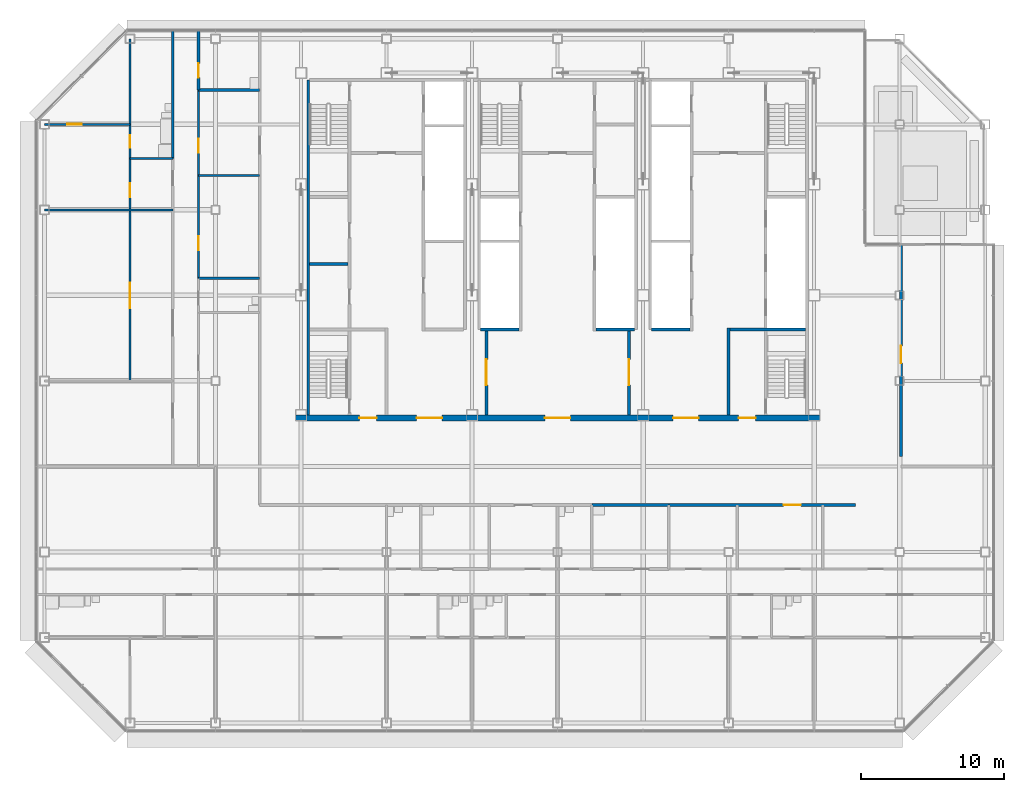
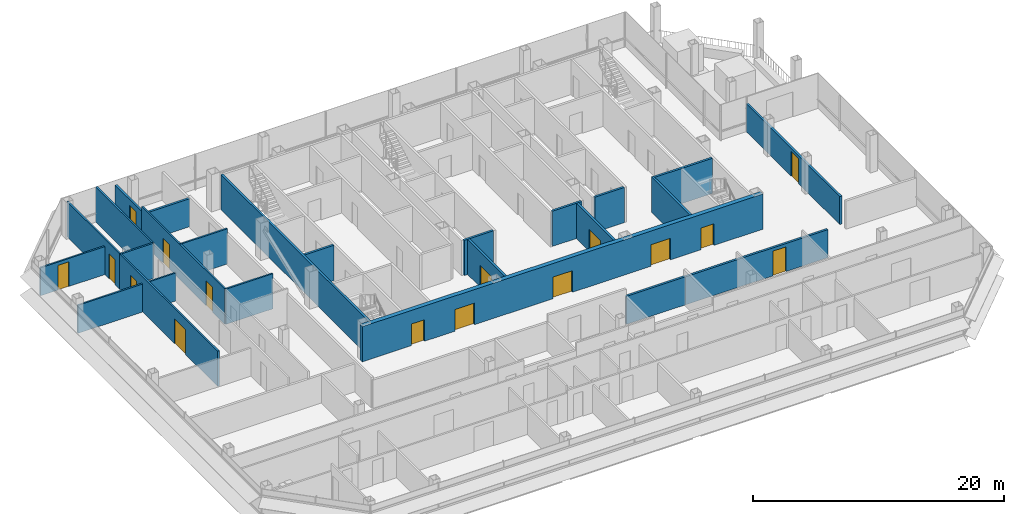
# One storey, part 22 of 29: 24 walls, 16 doors, 16 openings.
"""IFC4 building model written with IfcOpenShell, lengths in metres."""

from ifc_helpers import new_model, si_unit, direction, frame, frame_2d, origin, place, context, subcontext, project, spatial, rectangle, extrude, material, layer, layer_set, type_object, element, fill, save


model = new_model("IFC4")

# Units and contexts
model_context = context("Model", 3, precision=1e-05, world=origin(), true_north=direction((0.0, 1.0)))
body_context = subcontext(model_context, "Body", "Model", "MODEL_VIEW")
ifc_project = project(units=[si_unit("LENGTHUNIT", "METRE"), si_unit("AREAUNIT", "SQUARE_METRE"), si_unit("VOLUMEUNIT", "CUBIC_METRE"), si_unit("PLANEANGLEUNIT", "RADIAN"), si_unit("MASSUNIT", "GRAM", prefix="KILO")], contexts=[model_context])

# Site, building, storey
site_placement = place(None, origin())
site = spatial("IfcSite", under=ifc_project, at=site_placement, CompositionType="ELEMENT")
building_placement = place(site_placement, origin())
building = spatial("IfcBuilding", under=site, at=building_placement, Name="Sorahane Residences", CompositionType="ELEMENT")
storey_placement = place(building_placement, frame((0.0, 0.0, 199.199951171875)))
storey = spatial("IfcBuildingStorey", under=building, at=storey_placement, Name="L46", CompositionType="ELEMENT", Elevation=199.199951171875)

# Wall
ifc_material_1 = material(Name="Concrete C30", Category="concrete")
ifc_layer_1 = layer(ifc_material_1, 0.199951171875)
ifc_layer_set_1 = layer_set([ifc_layer_1], Name="Core face wall 200 EI 180")
wall_type_1 = type_object("IfcWallType", Name="Core face wall 200 EI 180", PredefinedType="SOLIDWALL", material=ifc_layer_set_1)
wall_1_placement = place(storey_placement, frame((6.5, 21.60009765625, 0.0), z_axis=(0.0, 0.0, 1.0), x_axis=(0.0, 1.0, 0.0)))
element("IfcWall", 1, at=wall_1_placement, inside=storey, type_object=wall_type_1, Name="L46 core face wall", PredefinedType="SOLIDWALL", context=body_context, shape_type="SweptSolid", body=[
    extrude(rectangle(XDim=23.5, YDim=0.199951171875, at=frame_2d((11.75, 0.0))), origin(), (0.0, 0.0, 1.0), 3.420166015625),
])

# Wall, opening, door
ifc_material_2 = material(Name="Concrete blockwork C20 wall", Category="masonry")
ifc_layer_2 = layer(ifc_material_2, 0.199951171875)
ifc_layer_set_2 = layer_set([ifc_layer_2], Name="Corridor wall 200 EI 120")
wall_type_2 = type_object("IfcWallType", Name="Corridor wall 200 EI 120", PredefinedType="SOLIDWALL", material=ifc_layer_set_2)
wall_2_placement = place(storey_placement, frame((48.10009765625, 18.699951171875, 0.0), z_axis=(0.0, 0.0, 1.0), x_axis=(0.0, 1.0, 0.0)))
wall_2 = element("IfcWall", 2, at=wall_2_placement, inside=storey, type_object=wall_type_2, Name="L46 corridor wall", PredefinedType="SOLIDWALL", context=body_context, shape_type="SweptSolid", body=[
    extrude(rectangle(XDim=14.900146484375, YDim=0.199951171875, at=frame_2d((7.4501953125, 0.0))), origin(), (0.0, 0.0, 1.0), 2.719970703125),
])
opening_1_placement = place(wall_2_placement, frame((6.550048828125, 0.0, 0.0)))
opening_1 = element("IfcOpeningElement", 3, at=opening_1_placement, cuts=wall_2, Name="Opening L46-45", PredefinedType="OPENING", context=body_context, shape_type="SweptSolid", body=[
    extrude(rectangle(XDim=1.199951171875, YDim=2.39990234375, at=frame_2d((0.60009765625, 1.199951171875))), frame((0.0, 0.10986328125, 0.0), z_axis=(0.0, -1.0, 0.0), x_axis=(1.0, 0.0, 0.0)), (0.0, 0.0, 1.0), 0.219970703125),
])
ifc_material_3 = material(Name="Steel", Category="steel")
door_type_1 = type_object("IfcDoorType", Name="Lobby door 1200x2400 FD60", OperationType="NOTDEFINED", PredefinedType="DOOR", material=ifc_material_3)
door_1_placement = place(opening_1_placement, frame((1.199951171875, 0.0, 0.0), z_axis=(0.0, 0.0, 1.0), x_axis=(-1.0, 0.0, 0.0)))
door_1 = element("IfcDoor", 4, at=door_1_placement, inside=storey, type_object=door_type_1, Name="Lobby door L46-45", OperationType="SINGLE_SWING_LEFT", OverallHeight=2.39990234375, OverallWidth=1.199951171875, PredefinedType="DOOR", context=body_context, shape_type="SweptSolid", body=[
    extrude(rectangle(XDim=1.199951171875, YDim=2.39990234375, at=frame_2d((0.60009765625, 1.199951171875))), frame((0.0, 0.02490234375, 0.0), z_axis=(0.0, -1.0, 0.0), x_axis=(1.0, 0.0, 0.0)), (0.0, 0.0, 1.0), 0.050048828125),
])
fill(opening_1, door_1)

wall_3_placement = place(storey_placement, frame((31.800048828125, 15.300048828125, 0.0), z_axis=(0.0, 0.0, 1.0), x_axis=(1.0, 0.0, 0.0)))
wall_3 = element("IfcWall", 5, at=wall_3_placement, inside=storey, type_object=wall_type_2, Name="L46 corridor wall", PredefinedType="SOLIDWALL", context=body_context, shape_type="SweptSolid", body=[
    extrude(rectangle(XDim=13.099853515625, YDim=0.199951171875, at=frame_2d((6.5498046875, 0.0))), origin(), (0.0, 0.0, 1.0), 2.719970703125),
])
opening_2_placement = place(wall_3_placement, frame((8.06005859375, 0.0, 0.0)))
opening_2 = element("IfcOpeningElement", 6, at=opening_2_placement, cuts=wall_3, Name="Opening L46-43", PredefinedType="OPENING", context=body_context, shape_type="SweptSolid", body=[
    extrude(rectangle(XDim=1.199951171875, YDim=2.39990234375, at=frame_2d((0.60009765625, 1.199951171875))), frame((0.0, 0.10986328125, 0.0), z_axis=(0.0, -1.0, 0.0), x_axis=(1.0, 0.0, 0.0)), (0.0, 0.0, 1.0), 0.219970703125),
])
ifc_material_4 = material(Name="Timber veneered fire door", Category="wood")
door_type_2 = type_object("IfcDoorType", Name="Flat entrance door 1200x2400 FD60", OperationType="NOTDEFINED", PredefinedType="DOOR", material=ifc_material_4)
door_2_placement = place(opening_2_placement, frame((1.199951171875, 0.0, 0.0), z_axis=(0.0, 0.0, 1.0), x_axis=(-1.0, 0.0, 0.0)))
door_2 = element("IfcDoor", 7, at=door_2_placement, inside=storey, type_object=door_type_2, Name="Flat entrance door L46-43", OperationType="SINGLE_SWING_LEFT", OverallHeight=2.39990234375, OverallWidth=1.199951171875, PredefinedType="DOOR", context=body_context, shape_type="SweptSolid", body=[
    extrude(rectangle(XDim=1.199951171875, YDim=2.39990234375, at=frame_2d((0.60009765625, 1.199951171875))), frame((0.0, 0.02490234375, 0.0), z_axis=(0.0, -1.0, 0.0), x_axis=(1.0, 0.0, 0.0)), (0.0, 0.0, 1.0), 0.050048828125),
])
fill(opening_2, door_2)

# Wall
ifc_material_5 = material(Name="Concrete C30", Category="concrete")
ifc_layer_3 = layer(ifc_material_5, 0.199951171875)
ifc_layer_set_3 = layer_set([ifc_layer_3], Name="Front room wall 200 EI 120")
wall_type_3 = type_object("IfcWallType", Name="Front room wall 200 EI 120", PredefinedType="PARTITIONING", material=ifc_layer_set_3)
wall_4_placement = place(storey_placement, frame((36.0, 21.60009765625, 0.0), z_axis=(0.0, 0.0, 1.0), x_axis=(0.0, 1.0, 0.0)))
element("IfcWall", 8, at=wall_4_placement, inside=storey, type_object=wall_type_3, Name="L46 front room wall", PredefinedType="PARTITIONING", context=body_context, shape_type="SweptSolid", body=[
    extrude(rectangle(XDim=6.099853515625, YDim=0.199951171875, at=frame_2d((3.0498046875, 0.0))), origin(), (0.0, 0.0, 1.0), 3.420166015625),
])

# Wall, opening, door
ifc_material_6 = material(Name="Concrete blockwork C20 wall", Category="masonry")
ifc_layer_4 = layer(ifc_material_6, 0.199951171875)
ifc_layer_set_4 = layer_set([ifc_layer_4], Name="Kitchen wall 200 EI 180")
wall_type_4 = type_object("IfcWallType", Name="Kitchen wall 200 EI 180", PredefinedType="SOLIDWALL", material=ifc_layer_set_4)
wall_5_placement = place(storey_placement, frame((-1.199951171875, 44.39990234375, 0.0), z_axis=(0.0, 0.0, 1.0), x_axis=(0.0, 1.0, 0.0)))
wall_5 = element("IfcWall", 9, at=wall_5_placement, inside=storey, type_object=wall_type_4, Name="L46 kitchen wall", PredefinedType="SOLIDWALL", context=body_context, shape_type="SweptSolid", body=[
    extrude(rectangle(XDim=4.2001953125, YDim=0.199951171875, at=frame_2d((2.10009765625, 0.0))), origin(), (0.0, 0.0, 1.0), 2.969970703125),
])
opening_3_placement = place(wall_5_placement, frame((0.8798828125, 0.0, 0.0)))
opening_3 = element("IfcOpeningElement", 10, at=opening_3_placement, cuts=wall_5, Name="Opening L46-34", PredefinedType="OPENING", context=body_context, shape_type="SweptSolid", body=[
    extrude(rectangle(XDim=1.0, YDim=2.39990234375, at=frame_2d((0.5, 1.199951171875))), frame((0.0, 0.10986328125, 0.0), z_axis=(0.0, -1.0, 0.0), x_axis=(1.0, 0.0, 0.0)), (0.0, 0.0, 1.0), 0.219970703125),
])
ifc_material_7 = material(Name="Steel", Category="steel")
door_type_3 = type_object("IfcDoorType", Name="Kitchen door 1000x2400 FD120", OperationType="NOTDEFINED", PredefinedType="DOOR", material=ifc_material_7)
door_3_placement = place(opening_3_placement, frame((1.0, 0.0, 0.0), z_axis=(0.0, 0.0, 1.0), x_axis=(-1.0, 0.0, 0.0)))
door_3 = element("IfcDoor", 11, at=door_3_placement, inside=storey, type_object=door_type_3, Name="Kitchen door L46-34", OperationType="SINGLE_SWING_RIGHT", OverallHeight=2.39990234375, OverallWidth=1.0, PredefinedType="DOOR", context=body_context, shape_type="SweptSolid", body=[
    extrude(rectangle(XDim=1.0, YDim=2.39990234375, at=frame_2d((0.5, 1.199951171875))), frame((0.0, 0.02490234375, 0.0), z_axis=(0.0, -1.0, 0.0), x_axis=(1.0, 0.0, 0.0)), (0.0, 0.0, 1.0), 0.050048828125),
])
fill(opening_3, door_3)

# Walls
wall_6_placement = place(storey_placement, frame((26.39990234375, 15.300048828125, 0.0), z_axis=(0.0, 0.0, 1.0), x_axis=(1.0, 0.0, 0.0)))
element("IfcWall", 12, at=wall_6_placement, inside=storey, type_object=wall_type_4, Name="L46 kitchen wall", PredefinedType="SOLIDWALL", context=body_context, shape_type="SweptSolid", body=[
    extrude(rectangle(XDim=5.400146484375, YDim=0.199951171875, at=frame_2d((2.7001953125, 0.0))), origin(), (0.0, 0.0, 1.0), 2.719970703125),
])
wall_7_placement = place(storey_placement, frame((-1.199951171875, 44.39990234375, 0.0), z_axis=(0.0, 0.0, 1.0), x_axis=(1.0, 0.0, 0.0)))
element("IfcWall", 13, at=wall_7_placement, inside=storey, type_object=wall_type_4, Name="L46 kitchen wall", PredefinedType="SOLIDWALL", context=body_context, shape_type="SweptSolid", body=[
    extrude(rectangle(XDim=4.300048828125, YDim=0.199951171875, at=frame_2d((2.14990234375, 0.0))), origin(), (0.0, 0.0, 1.0), 2.719970703125),
])
ifc_material_8 = material(Name="Concrete C30", Category="concrete")
ifc_layer_5 = layer(ifc_material_8, 0.199951171875)
ifc_layer_set_5 = layer_set([ifc_layer_5], Name="Lift shaft wall 200 EI 120")
wall_type_5 = type_object("IfcWallType", Name="Lift shaft wall 200 EI 120", PredefinedType="SOLIDWALL", material=ifc_layer_set_5)
for number, where, z_axis, x_axis, name in (
    (14, (18.60009765625, 27.60009765625, 0.0), (0.0, 0.0, 1.0), (1.0, 0.0, 0.0), "L46 lift shaft wall"),
    (15, (30.60009765625, 27.60009765625, 0.0), (0.0, 0.0, 1.0), (1.0, 0.0, 0.0), "L46 lift shaft wall"),
):
    element("IfcWall", number, at=place(storey_placement, frame(where, z_axis=z_axis, x_axis=x_axis)), inside=storey, type_object=wall_type_5, Name=name, PredefinedType="SOLIDWALL", context=body_context, shape_type="SweptSolid", body=[
        extrude(rectangle(XDim=2.699951171875, YDim=0.199951171875, at=frame_2d((1.35009765625, 0.0))), origin(), (0.0, 0.0, 1.0), 3.420166015625),
    ])

# Wall, openings, doors
ifc_material_9 = material(Name="Gypsum board partition on steel studs", Category="steel")
ifc_layer_6 = layer(ifc_material_9, 0.14990234375)
ifc_layer_set_6 = layer_set([ifc_layer_6], Name="Partition 150 EI 90")
wall_type_6 = type_object("IfcWallType", Name="Partition 150 EI 90", PredefinedType="PARTITIONING", material=ifc_layer_set_6)
wall_8_placement = place(storey_placement, frame((-1.199951171875, 31.199951171875, 0.0), z_axis=(0.0, 0.0, 1.0), x_axis=(0.0, 1.0, 0.0)))
wall_8 = element("IfcWall", 16, at=wall_8_placement, inside=storey, type_object=wall_type_6, Name="L46 partition", PredefinedType="PARTITIONING", context=body_context, shape_type="SweptSolid", body=[
    extrude(rectangle(XDim=13.199951171875, YDim=0.14990234375, at=frame_2d((6.60009765625, 0.0))), origin(), (0.0, 0.0, 1.0), 3.420166015625),
])
opening_4_placement = place(wall_8_placement, frame((8.800048828125, 0.0, 0.0)))
opening_4 = element("IfcOpeningElement", 17, at=opening_4_placement, cuts=wall_8, Name="Opening L46-30", PredefinedType="OPENING", context=body_context, shape_type="SweptSolid", body=[
    extrude(rectangle(XDim=1.0, YDim=2.39990234375, at=frame_2d((0.5, 1.199951171875))), frame((0.0, 0.0849609375, 0.0), z_axis=(0.0, -1.0, 0.0), x_axis=(1.0, 0.0, 0.0)), (0.0, 0.0, 1.0), 0.169921875),
])
opening_5_placement = place(wall_8_placement, frame((1.9599609375, 0.0, 0.0)))
opening_5 = element("IfcOpeningElement", 18, at=opening_5_placement, cuts=wall_8, Name="Opening L46-33", PredefinedType="OPENING", context=body_context, shape_type="SweptSolid", body=[
    extrude(rectangle(XDim=1.0, YDim=2.39990234375, at=frame_2d((0.5, 1.199951171875))), frame((0.0, 0.0849609375, 0.0), z_axis=(0.0, -1.0, 0.0), x_axis=(1.0, 0.0, 0.0)), (0.0, 0.0, 1.0), 0.169921875),
])
ifc_material_10 = material(Name="Timber veneered fire door", Category="wood")
door_type_4 = type_object("IfcDoorType", Name="Room door 1000x2400 FD30", OperationType="NOTDEFINED", PredefinedType="DOOR", material=ifc_material_10)
door_4_placement = place(opening_4_placement, origin())
door_4 = element("IfcDoor", 19, at=door_4_placement, inside=storey, type_object=door_type_4, Name="Room door L46-30", OperationType="SINGLE_SWING_LEFT", OverallHeight=2.39990234375, OverallWidth=1.0, PredefinedType="DOOR", context=body_context, shape_type="SweptSolid", body=[
    extrude(rectangle(XDim=1.0, YDim=2.39990234375, at=frame_2d((0.5, 1.199951171875))), frame((0.0, 0.02490234375, 0.0), z_axis=(0.0, -1.0, 0.0), x_axis=(1.0, 0.0, 0.0)), (0.0, 0.0, 1.0), 0.050048828125),
])
fill(opening_4, door_4)
door_5_placement = place(opening_5_placement, frame((1.0, 0.0, 0.0), z_axis=(0.0, 0.0, 1.0), x_axis=(-1.0, 0.0, 0.0)))
door_5 = element("IfcDoor", 20, at=door_5_placement, inside=storey, type_object=door_type_4, Name="Room door L46-33", OperationType="SINGLE_SWING_LEFT", OverallHeight=2.39990234375, OverallWidth=1.0, PredefinedType="DOOR", context=body_context, shape_type="SweptSolid", body=[
    extrude(rectangle(XDim=1.0, YDim=2.39990234375, at=frame_2d((0.5, 1.199951171875))), frame((0.0, 0.02490234375, 0.0), z_axis=(0.0, -1.0, 0.0), x_axis=(1.0, 0.0, 0.0)), (0.0, 0.0, 1.0), 0.050048828125),
])
fill(opening_5, door_5)

wall_9_placement = place(storey_placement, frame((-6.0, 24.0, 0.0), z_axis=(0.0, 0.0, 1.0), x_axis=(0.0, 1.0, 0.0)))
wall_9 = element("IfcWall", 21, at=wall_9_placement, inside=storey, type_object=wall_type_6, Name="L46 partition", PredefinedType="PARTITIONING", context=body_context, shape_type="SweptSolid", body=[
    extrude(rectangle(XDim=15.60009765625, YDim=0.14990234375, at=frame_2d((7.800048828125, 0.0))), origin(), (0.0, 0.0, 1.0), 3.420166015625),
])
opening_6_placement = place(wall_9_placement, frame((5.10009765625, 0.0, 0.0)))
opening_6 = element("IfcOpeningElement", 22, at=opening_6_placement, cuts=wall_9, Name="Opening L46-38", PredefinedType="OPENING", context=body_context, shape_type="SweptSolid", body=[
    extrude(rectangle(XDim=1.800048828125, YDim=2.39990234375, at=frame_2d((0.89990234375, 1.199951171875))), frame((0.0, 0.0849609375, 0.0), z_axis=(0.0, -1.0, 0.0), x_axis=(1.0, 0.0, 0.0)), (0.0, 0.0, 1.0), 0.169921875),
])
opening_7_placement = place(wall_9_placement, frame((12.8798828125, 0.0, 0.0)))
opening_7 = element("IfcOpeningElement", 23, at=opening_7_placement, cuts=wall_9, Name="Opening L46-39", PredefinedType="OPENING", context=body_context, shape_type="SweptSolid", body=[
    extrude(rectangle(XDim=1.0, YDim=2.39990234375, at=frame_2d((0.5, 1.199951171875))), frame((0.0, 0.0849609375, 0.0), z_axis=(0.0, -1.0, 0.0), x_axis=(1.0, 0.0, 0.0)), (0.0, 0.0, 1.0), 0.169921875),
])
ifc_material_11 = material(Name="Timber veneered fire door", Category="wood")
door_type_5 = type_object("IfcDoorType", Name="Double door 1800x2400 FD30", OperationType="NOTDEFINED", PredefinedType="DOOR", material=ifc_material_11)
door_6_placement = place(opening_6_placement, origin())
door_6 = element("IfcDoor", 24, at=door_6_placement, inside=storey, type_object=door_type_5, Name="Double door L46-38", OperationType="SINGLE_SWING_RIGHT", OverallHeight=2.39990234375, OverallWidth=1.800048828125, PredefinedType="DOOR", context=body_context, shape_type="SweptSolid", body=[
    extrude(rectangle(XDim=1.800048828125, YDim=2.39990234375, at=frame_2d((0.89990234375, 1.199951171875))), frame((0.0, 0.02490234375, 0.0), z_axis=(0.0, -1.0, 0.0), x_axis=(1.0, 0.0, 0.0)), (0.0, 0.0, 1.0), 0.050048828125),
])
fill(opening_6, door_6)
door_7_placement = place(opening_7_placement, origin())
door_7 = element("IfcDoor", 25, at=door_7_placement, inside=storey, type_object=door_type_4, Name="Room door L46-39", OperationType="SINGLE_SWING_LEFT", OverallHeight=2.39990234375, OverallWidth=1.0, PredefinedType="DOOR", context=body_context, shape_type="SweptSolid", body=[
    extrude(rectangle(XDim=1.0, YDim=2.39990234375, at=frame_2d((0.5, 1.199951171875))), frame((0.0, 0.02490234375, 0.0), z_axis=(0.0, -1.0, 0.0), x_axis=(1.0, 0.0, 0.0)), (0.0, 0.0, 1.0), 0.050048828125),
])
fill(opening_7, door_7)

# Walls
wall_10_placement = place(storey_placement, frame((-12.0, 36.0, 0.0), z_axis=(0.0, 0.0, 1.0), x_axis=(1.0, 0.0, 0.0)))
element("IfcWall", 26, at=wall_10_placement, inside=storey, type_object=wall_type_6, Name="L46 partition", PredefinedType="PARTITIONING", context=body_context, shape_type="SweptSolid", body=[
    extrude(rectangle(XDim=9.0, YDim=0.14990234375, at=frame_2d((4.5, 0.0))), origin(), (0.0, 0.0, 1.0), 2.719970703125),
])
wall_11_placement = place(storey_placement, frame((-1.199951171875, 38.39990234375, 0.0), z_axis=(0.0, 0.0, 1.0), x_axis=(1.0, 0.0, 0.0)))
element("IfcWall", 27, at=wall_11_placement, inside=storey, type_object=wall_type_6, Name="L46 partition", PredefinedType="PARTITIONING", context=body_context, shape_type="SweptSolid", body=[
    extrude(rectangle(XDim=4.300048828125, YDim=0.14990234375, at=frame_2d((2.14990234375, 0.0))), origin(), (0.0, 0.0, 1.0), 3.420166015625),
])

# Wall, opening, door
wall_12_placement = place(storey_placement, frame((-12.0, 42.0, 0.0), z_axis=(0.0, 0.0, 1.0), x_axis=(1.0, 0.0, 0.0)))
wall_12 = element("IfcWall", 28, at=wall_12_placement, inside=storey, type_object=wall_type_6, Name="L46 partition", PredefinedType="PARTITIONING", context=body_context, shape_type="SweptSolid", body=[
    extrude(rectangle(XDim=6.0, YDim=0.14990234375, at=frame_2d((3.0, 0.0))), origin(), (0.0, 0.0, 1.0), 2.719970703125),
])
opening_8_placement = place(wall_12_placement, frame((1.60009765625, 0.0, 0.0)))
opening_8 = element("IfcOpeningElement", 29, at=opening_8_placement, cuts=wall_12, Name="Opening L46-40", PredefinedType="OPENING", context=body_context, shape_type="SweptSolid", body=[
    extrude(rectangle(XDim=1.0, YDim=2.39990234375, at=frame_2d((0.5, 1.199951171875))), frame((0.0, 0.0849609375, 0.0), z_axis=(0.0, -1.0, 0.0), x_axis=(1.0, 0.0, 0.0)), (0.0, 0.0, 1.0), 0.169921875),
])
door_8_placement = place(opening_8_placement, origin())
door_8 = element("IfcDoor", 30, at=door_8_placement, inside=storey, type_object=door_type_4, Name="Room door L46-40", OperationType="SINGLE_SWING_LEFT", OverallHeight=2.39990234375, OverallWidth=1.0, PredefinedType="DOOR", context=body_context, shape_type="SweptSolid", body=[
    extrude(rectangle(XDim=1.0, YDim=2.39990234375, at=frame_2d((0.5, 1.199951171875))), frame((0.0, 0.02490234375, 0.0), z_axis=(0.0, -1.0, 0.0), x_axis=(1.0, 0.0, 0.0)), (0.0, 0.0, 1.0), 0.050048828125),
])
fill(opening_8, door_8)

# Wall
ifc_material_12 = material(Name="Concrete C30", Category="concrete")
ifc_layer_7 = layer(ifc_material_12, 0.199951171875)
ifc_layer_set_7 = layer_set([ifc_layer_7], Name="Riser shaft wall 200 EI 120")
wall_type_7 = type_object("IfcWallType", Name="Riser shaft wall 200 EI 120", PredefinedType="SOLIDWALL", material=ifc_layer_set_7)
wall_13_placement = place(storey_placement, frame((26.699951171875, 27.60009765625, 0.0), z_axis=(0.0, 0.0, 1.0), x_axis=(1.0, 0.0, 0.0)))
element("IfcWall", 31, at=wall_13_placement, inside=storey, type_object=wall_type_7, Name="L46 riser wall", PredefinedType="SOLIDWALL", context=body_context, shape_type="SweptSolid", body=[
    extrude(rectangle(XDim=2.699951171875, YDim=0.199951171875, at=frame_2d((1.35009765625, 0.0))), origin(), (0.0, 0.0, 1.0), 3.420166015625),
])

# Wall, opening, door
ifc_material_13 = material(Name="Concrete C30", Category="concrete")
ifc_layer_8 = layer(ifc_material_13, 0.199951171875)
ifc_layer_set_8 = layer_set([ifc_layer_8], Name="Service room partition 200 EI 60")
wall_type_8 = type_object("IfcWallType", Name="Service room partition 200 EI 60", PredefinedType="PARTITIONING", material=ifc_layer_set_8)
wall_14_placement = place(storey_placement, frame((19.0, 21.60009765625, 0.0), z_axis=(0.0, 0.0, 1.0), x_axis=(0.0, 1.0, 0.0)))
wall_14 = element("IfcWall", 32, at=wall_14_placement, inside=storey, type_object=wall_type_8, Name="L46 service room wall", PredefinedType="PARTITIONING", context=body_context, shape_type="SweptSolid", body=[
    extrude(rectangle(XDim=6.0, YDim=0.199951171875, at=frame_2d((3.0, 0.0))), origin(), (0.0, 0.0, 1.0), 3.420166015625),
])
opening_9_placement = place(wall_14_placement, frame((2.10009765625, 0.0, 0.0)))
opening_9 = element("IfcOpeningElement", 33, at=opening_9_placement, cuts=wall_14, Name="Opening L46-C02", PredefinedType="OPENING", context=body_context, shape_type="SweptSolid", body=[
    extrude(rectangle(XDim=1.800048828125, YDim=2.10009765625, at=frame_2d((0.89990234375, 1.050048828125))), frame((0.0, 0.10986328125, 0.0), z_axis=(0.0, -1.0, 0.0), x_axis=(1.0, 0.0, 0.0)), (0.0, 0.0, 1.0), 0.219970703125),
])
ifc_material_14 = material(Name="Steel", Category="steel")
door_type_6 = type_object("IfcDoorType", Name="Waiting hall door 1800x2100 FD60", OperationType="NOTDEFINED", PredefinedType="DOOR", material=ifc_material_14)
door_9_placement = place(opening_9_placement, origin())
door_9 = element("IfcDoor", 34, at=door_9_placement, inside=storey, type_object=door_type_6, Name="Waiting hall door Residents' waiting hall west L46", OperationType="SINGLE_SWING_LEFT", OverallHeight=2.10009765625, OverallWidth=1.800048828125, PredefinedType="DOOR", context=body_context, shape_type="SweptSolid", body=[
    extrude(rectangle(XDim=1.800048828125, YDim=2.10009765625, at=frame_2d((0.89990234375, 1.050048828125))), frame((0.0, 0.02490234375, 0.0), z_axis=(0.0, -1.0, 0.0), x_axis=(1.0, 0.0, 0.0)), (0.0, 0.0, 1.0), 0.050048828125),
])
fill(opening_9, door_9)

wall_15_placement = place(storey_placement, frame((29.0, 21.60009765625, 0.0), z_axis=(0.0, 0.0, 1.0), x_axis=(0.0, 1.0, 0.0)))
wall_15 = element("IfcWall", 35, at=wall_15_placement, inside=storey, type_object=wall_type_8, Name="L46 service room wall", PredefinedType="PARTITIONING", context=body_context, shape_type="SweptSolid", body=[
    extrude(rectangle(XDim=6.0, YDim=0.199951171875, at=frame_2d((3.0, 0.0))), origin(), (0.0, 0.0, 1.0), 3.420166015625),
])
opening_10_placement = place(wall_15_placement, frame((2.10009765625, 0.0, 0.0)))
opening_10 = element("IfcOpeningElement", 36, at=opening_10_placement, cuts=wall_15, Name="Opening L46-C04", PredefinedType="OPENING", context=body_context, shape_type="SweptSolid", body=[
    extrude(rectangle(XDim=1.800048828125, YDim=2.10009765625, at=frame_2d((0.89990234375, 1.050048828125))), frame((0.0, 0.10986328125, 0.0), z_axis=(0.0, -1.0, 0.0), x_axis=(1.0, 0.0, 0.0)), (0.0, 0.0, 1.0), 0.219970703125),
])
door_10_placement = place(opening_10_placement, origin())
door_10 = element("IfcDoor", 37, at=door_10_placement, inside=storey, type_object=door_type_6, Name="Waiting hall door Residents' waiting hall centre L46", OperationType="SINGLE_SWING_LEFT", OverallHeight=2.10009765625, OverallWidth=1.800048828125, PredefinedType="DOOR", context=body_context, shape_type="SweptSolid", body=[
    extrude(rectangle(XDim=1.800048828125, YDim=2.10009765625, at=frame_2d((0.89990234375, 1.050048828125))), frame((0.0, 0.02490234375, 0.0), z_axis=(0.0, -1.0, 0.0), x_axis=(1.0, 0.0, 0.0)), (0.0, 0.0, 1.0), 0.050048828125),
])
fill(opening_10, door_10)

# Walls
wall_16_placement = place(storey_placement, frame((6.60009765625, 32.199951171875, 0.0), z_axis=(0.0, 0.0, 1.0), x_axis=(1.0, 0.0, 0.0)))
element("IfcWall", 38, at=wall_16_placement, inside=storey, type_object=wall_type_8, Name="L46 service room wall", PredefinedType="PARTITIONING", context=body_context, shape_type="SweptSolid", body=[
    extrude(rectangle(XDim=2.699951171875, YDim=0.199951171875, at=frame_2d((1.35009765625, 0.0))), origin(), (0.0, 0.0, 1.0), 3.420166015625),
])
ifc_material_15 = material(Name="Concrete C30", Category="concrete")
ifc_layer_9 = layer(ifc_material_15, 0.199951171875)
ifc_layer_set_9 = layer_set([ifc_layer_9], Name="Stair enclosure wall 200 EI 120")
wall_type_9 = type_object("IfcWallType", Name="Stair enclosure wall 200 EI 120", PredefinedType="SOLIDWALL", material=ifc_layer_set_9)
wall_17_placement = place(storey_placement, frame((36.10009765625, 27.60009765625, 0.0), z_axis=(0.0, 0.0, 1.0), x_axis=(1.0, 0.0, 0.0)))
element("IfcWall", 39, at=wall_17_placement, inside=storey, type_object=wall_type_9, Name="L46 stair enclosure wall", PredefinedType="SOLIDWALL", context=body_context, shape_type="SweptSolid", body=[
    extrude(rectangle(XDim=5.2998046875, YDim=0.199951171875, at=frame_2d((2.64990234375, 0.0))), origin(), (0.0, 0.0, 1.0), 3.420166015625),
])

# Wall, openings, doors
ifc_material_16 = material(Name="Concrete C30", Category="concrete")
ifc_layer_10 = layer(ifc_material_16, 0.39990234375)
ifc_layer_set_10 = layer_set([ifc_layer_10], Name="Waiting hall wall 400 EI 120")
wall_type_10 = type_object("IfcWallType", Name="Waiting hall wall 400 EI 120", PredefinedType="SOLIDWALL", material=ifc_layer_set_10)
wall_18_placement = place(storey_placement, frame((5.60009765625, 21.39990234375, 0.0), z_axis=(0.0, 0.0, 1.0), x_axis=(1.0, 0.0, 0.0)))
wall_18 = element("IfcWall", 40, at=wall_18_placement, inside=storey, type_object=wall_type_10, Name="L46 waiting hall wall", PredefinedType="SOLIDWALL", context=body_context, shape_type="SweptSolid", body=[
    extrude(rectangle(XDim=36.7998046875, YDim=0.39990234375, at=frame_2d((18.39990234375, 0.0))), origin(), (0.0, 0.0, 1.0), 3.420166015625),
])
opening_11_placement = place(wall_18_placement, frame((8.5, 0.0, 0.0)))
opening_11 = element("IfcOpeningElement", 41, at=opening_11_placement, cuts=wall_18, Name="Opening L46-C01", PredefinedType="OPENING", context=body_context, shape_type="SweptSolid", body=[
    extrude(rectangle(XDim=1.800048828125, YDim=2.10009765625, at=frame_2d((0.89990234375, 1.050048828125))), frame((0.0, 0.2099609375, 0.0), z_axis=(0.0, -1.0, 0.0), x_axis=(1.0, 0.0, 0.0)), (0.0, 0.0, 1.0), 0.419921875),
])
opening_12_placement = place(wall_18_placement, frame((17.5, 0.0, 0.0)))
opening_12 = element("IfcOpeningElement", 42, at=opening_12_placement, cuts=wall_18, Name="Opening L46-C03", PredefinedType="OPENING", context=body_context, shape_type="SweptSolid", body=[
    extrude(rectangle(XDim=1.800048828125, YDim=2.10009765625, at=frame_2d((0.89990234375, 1.050048828125))), frame((0.0, 0.2099609375, 0.0), z_axis=(0.0, -1.0, 0.0), x_axis=(1.0, 0.0, 0.0)), (0.0, 0.0, 1.0), 0.419921875),
])
opening_13_placement = place(wall_18_placement, frame((26.5, 0.0, 0.0)))
opening_13 = element("IfcOpeningElement", 43, at=opening_13_placement, cuts=wall_18, Name="Opening L46-C05", PredefinedType="OPENING", context=body_context, shape_type="SweptSolid", body=[
    extrude(rectangle(XDim=1.800048828125, YDim=2.10009765625, at=frame_2d((0.89990234375, 1.050048828125))), frame((0.0, 0.2099609375, 0.0), z_axis=(0.0, -1.0, 0.0), x_axis=(1.0, 0.0, 0.0)), (0.0, 0.0, 1.0), 0.419921875),
])
opening_14_placement = place(wall_18_placement, frame((4.5, 0.0, 0.0)))
opening_14 = element("IfcOpeningElement", 44, at=opening_14_placement, cuts=wall_18, Name="Opening L46-C06", PredefinedType="OPENING", context=body_context, shape_type="SweptSolid", body=[
    extrude(rectangle(XDim=1.199951171875, YDim=2.10009765625, at=frame_2d((0.60009765625, 1.050048828125))), frame((0.0, 0.2099609375, 0.0), z_axis=(0.0, -1.0, 0.0), x_axis=(1.0, 0.0, 0.0)), (0.0, 0.0, 1.0), 0.419921875),
])
opening_15_placement = place(wall_18_placement, frame((31.10009765625, 0.0, 0.0)))
opening_15 = element("IfcOpeningElement", 45, at=opening_15_placement, cuts=wall_18, Name="Opening L46-C07", PredefinedType="OPENING", context=body_context, shape_type="SweptSolid", body=[
    extrude(rectangle(XDim=1.199951171875, YDim=2.10009765625, at=frame_2d((0.60009765625, 1.050048828125))), frame((0.0, 0.2099609375, 0.0), z_axis=(0.0, -1.0, 0.0), x_axis=(1.0, 0.0, 0.0)), (0.0, 0.0, 1.0), 0.419921875),
])
ifc_material_17 = material(Name="Steel", Category="steel")
door_type_7 = type_object("IfcDoorType", Name="Stair front room door 1200x2100 FD120", OperationType="NOTDEFINED", PredefinedType="DOOR", material=ifc_material_17)
door_11_placement = place(opening_14_placement, frame((1.199951171875, 0.0, 0.0), z_axis=(0.0, 0.0, 1.0), x_axis=(-1.0, 0.0, 0.0)))
door_11 = element("IfcDoor", 46, at=door_11_placement, inside=storey, type_object=door_type_7, Name="Stair front room door Stair S4 front room L46", OperationType="SINGLE_SWING_LEFT", OverallHeight=2.10009765625, OverallWidth=1.199951171875, PredefinedType="DOOR", context=body_context, shape_type="SweptSolid", body=[
    extrude(rectangle(XDim=1.199951171875, YDim=2.10009765625, at=frame_2d((0.60009765625, 1.050048828125))), frame((0.0, 0.02490234375, 0.0), z_axis=(0.0, -1.0, 0.0), x_axis=(1.0, 0.0, 0.0)), (0.0, 0.0, 1.0), 0.050048828125),
])
fill(opening_14, door_11)
door_12_placement = place(opening_15_placement, frame((1.199951171875, 0.0, 0.0), z_axis=(0.0, 0.0, 1.0), x_axis=(-1.0, 0.0, 0.0)))
door_12 = element("IfcDoor", 47, at=door_12_placement, inside=storey, type_object=door_type_7, Name="Stair front room door Stair S5 front room L46", OperationType="SINGLE_SWING_LEFT", OverallHeight=2.10009765625, OverallWidth=1.199951171875, PredefinedType="DOOR", context=body_context, shape_type="SweptSolid", body=[
    extrude(rectangle(XDim=1.199951171875, YDim=2.10009765625, at=frame_2d((0.60009765625, 1.050048828125))), frame((0.0, 0.02490234375, 0.0), z_axis=(0.0, -1.0, 0.0), x_axis=(1.0, 0.0, 0.0)), (0.0, 0.0, 1.0), 0.050048828125),
])
fill(opening_15, door_12)
door_13_placement = place(opening_11_placement, frame((1.800048828125, 0.0, 0.0), z_axis=(0.0, 0.0, 1.0), x_axis=(-1.0, 0.0, 0.0)))
door_13 = element("IfcDoor", 48, at=door_13_placement, inside=storey, type_object=door_type_6, Name="Waiting hall door Residents' waiting hall west L46", OperationType="SINGLE_SWING_LEFT", OverallHeight=2.10009765625, OverallWidth=1.800048828125, PredefinedType="DOOR", context=body_context, shape_type="SweptSolid", body=[
    extrude(rectangle(XDim=1.800048828125, YDim=2.10009765625, at=frame_2d((0.89990234375, 1.050048828125))), frame((0.0, 0.02490234375, 0.0), z_axis=(0.0, -1.0, 0.0), x_axis=(1.0, 0.0, 0.0)), (0.0, 0.0, 1.0), 0.050048828125),
])
fill(opening_11, door_13)
door_14_placement = place(opening_12_placement, frame((1.800048828125, 0.0, 0.0), z_axis=(0.0, 0.0, 1.0), x_axis=(-1.0, 0.0, 0.0)))
door_14 = element("IfcDoor", 49, at=door_14_placement, inside=storey, type_object=door_type_6, Name="Waiting hall door Residents' waiting hall centre L46", OperationType="SINGLE_SWING_LEFT", OverallHeight=2.10009765625, OverallWidth=1.800048828125, PredefinedType="DOOR", context=body_context, shape_type="SweptSolid", body=[
    extrude(rectangle(XDim=1.800048828125, YDim=2.10009765625, at=frame_2d((0.89990234375, 1.050048828125))), frame((0.0, 0.02490234375, 0.0), z_axis=(0.0, -1.0, 0.0), x_axis=(1.0, 0.0, 0.0)), (0.0, 0.0, 1.0), 0.050048828125),
])
fill(opening_12, door_14)
door_15_placement = place(opening_13_placement, frame((1.800048828125, 0.0, 0.0), z_axis=(0.0, 0.0, 1.0), x_axis=(-1.0, 0.0, 0.0)))
door_15 = element("IfcDoor", 50, at=door_15_placement, inside=storey, type_object=door_type_6, Name="Waiting hall door Residents' waiting hall east L46", OperationType="SINGLE_SWING_LEFT", OverallHeight=2.10009765625, OverallWidth=1.800048828125, PredefinedType="DOOR", context=body_context, shape_type="SweptSolid", body=[
    extrude(rectangle(XDim=1.800048828125, YDim=2.10009765625, at=frame_2d((0.89990234375, 1.050048828125))), frame((0.0, 0.02490234375, 0.0), z_axis=(0.0, -1.0, 0.0), x_axis=(1.0, 0.0, 0.0)), (0.0, 0.0, 1.0), 0.050048828125),
])
fill(opening_13, door_15)

# Wall
ifc_material_18 = material(Name="Gypsum board partition on steel studs", Category="steel")
ifc_layer_11 = layer(ifc_material_18, 0.14990234375)
ifc_layer_set_11 = layer_set([ifc_layer_11], Name="Wet wall 150 EI 90")
wall_type_11 = type_object("IfcWallType", Name="Wet wall 150 EI 90", PredefinedType="PARTITIONING", material=ifc_layer_set_11)
wall_19_placement = place(storey_placement, frame((-3.0, 39.60009765625, 0.0), z_axis=(0.0, 0.0, 1.0), x_axis=(0.0, 1.0, 0.0)))
element("IfcWall", 51, at=wall_19_placement, inside=storey, type_object=wall_type_11, Name="L46 wet wall", PredefinedType="PARTITIONING", context=body_context, shape_type="SweptSolid", body=[
    extrude(rectangle(XDim=9.0, YDim=0.14990234375, at=frame_2d((4.5, 0.0))), origin(), (0.0, 0.0, 1.0), 3.420166015625),
])

# Wall, opening, door
wall_20_placement = place(storey_placement, frame((-6.0, 39.60009765625, 0.0), z_axis=(0.0, 0.0, 1.0), x_axis=(0.0, 1.0, 0.0)))
wall_20 = element("IfcWall", 52, at=wall_20_placement, inside=storey, type_object=wall_type_11, Name="L46 wet wall", PredefinedType="PARTITIONING", context=body_context, shape_type="SweptSolid", body=[
    extrude(rectangle(XDim=8.39990234375, YDim=0.14990234375, at=frame_2d((4.199951171875, 0.0))), origin(), (0.0, 0.0, 1.0), 3.420166015625),
])
opening_16_placement = place(wall_20_placement, frame((0.75, 0.0, 0.0)))
opening_16 = element("IfcOpeningElement", 53, at=opening_16_placement, cuts=wall_20, Name="Opening L46-41", PredefinedType="OPENING", context=body_context, shape_type="SweptSolid", body=[
    extrude(rectangle(XDim=0.89990234375, YDim=2.39990234375, at=frame_2d((0.449951171875, 1.199951171875))), frame((0.0, 0.0849609375, 0.0), z_axis=(0.0, -1.0, 0.0), x_axis=(1.0, 0.0, 0.0)), (0.0, 0.0, 1.0), 0.169921875),
])
ifc_material_19 = material(Name="Timber veneered fire door", Category="wood")
door_type_8 = type_object("IfcDoorType", Name="Bathroom door 900x2400 FD30", OperationType="NOTDEFINED", PredefinedType="DOOR", material=ifc_material_19)
door_16_placement = place(opening_16_placement, origin())
door_16 = element("IfcDoor", 54, at=door_16_placement, inside=storey, type_object=door_type_8, Name="Bathroom door L46-41", OperationType="SINGLE_SWING_LEFT", OverallHeight=2.39990234375, OverallWidth=0.89990234375, PredefinedType="DOOR", context=body_context, shape_type="SweptSolid", body=[
    extrude(rectangle(XDim=0.89990234375, YDim=2.39990234375, at=frame_2d((0.449951171875, 1.199951171875))), frame((0.0, 0.02490234375, 0.0), z_axis=(0.0, -1.0, 0.0), x_axis=(1.0, 0.0, 0.0)), (0.0, 0.0, 1.0), 0.050048828125),
])
fill(opening_16, door_16)

# Walls
wall_21_placement = place(storey_placement, frame((-1.199951171875, 31.199951171875, 0.0), z_axis=(0.0, 0.0, 1.0), x_axis=(1.0, 0.0, 0.0)))
element("IfcWall", 55, at=wall_21_placement, inside=storey, type_object=wall_type_11, Name="L46 wet wall", PredefinedType="PARTITIONING", context=body_context, shape_type="SweptSolid", body=[
    extrude(rectangle(XDim=4.300048828125, YDim=0.14990234375, at=frame_2d((2.14990234375, 0.0))), origin(), (0.0, 0.0, 1.0), 3.420166015625),
])
wall_22_placement = place(storey_placement, frame((-6.0, 39.60009765625, 0.0), z_axis=(0.0, 0.0, 1.0), x_axis=(1.0, 0.0, 0.0)))
element("IfcWall", 56, at=wall_22_placement, inside=storey, type_object=wall_type_11, Name="L46 wet wall", PredefinedType="PARTITIONING", context=body_context, shape_type="SweptSolid", body=[
    extrude(rectangle(XDim=3.0, YDim=0.14990234375, at=frame_2d((1.5, 0.0))), origin(), (0.0, 0.0, 1.0), 3.420166015625),
])

save(model, "model.ifc")
